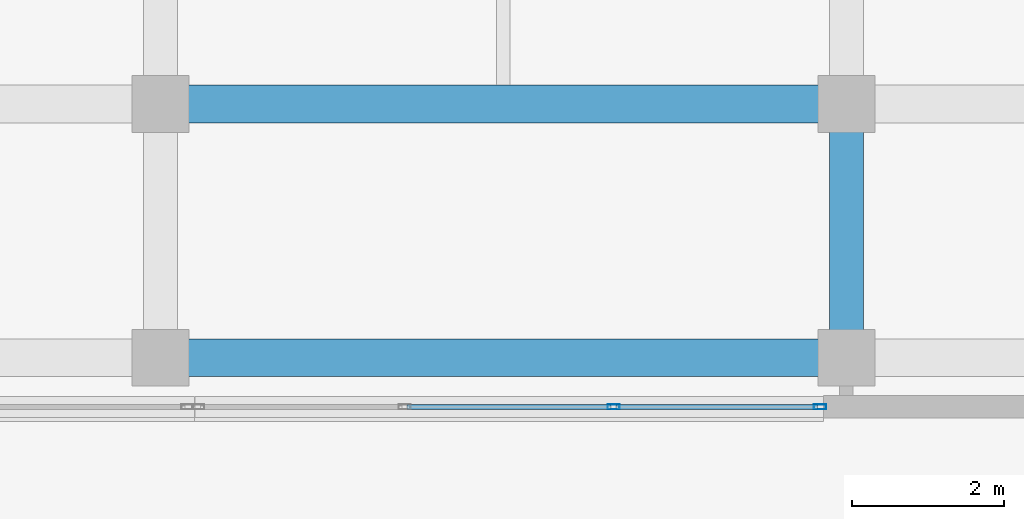
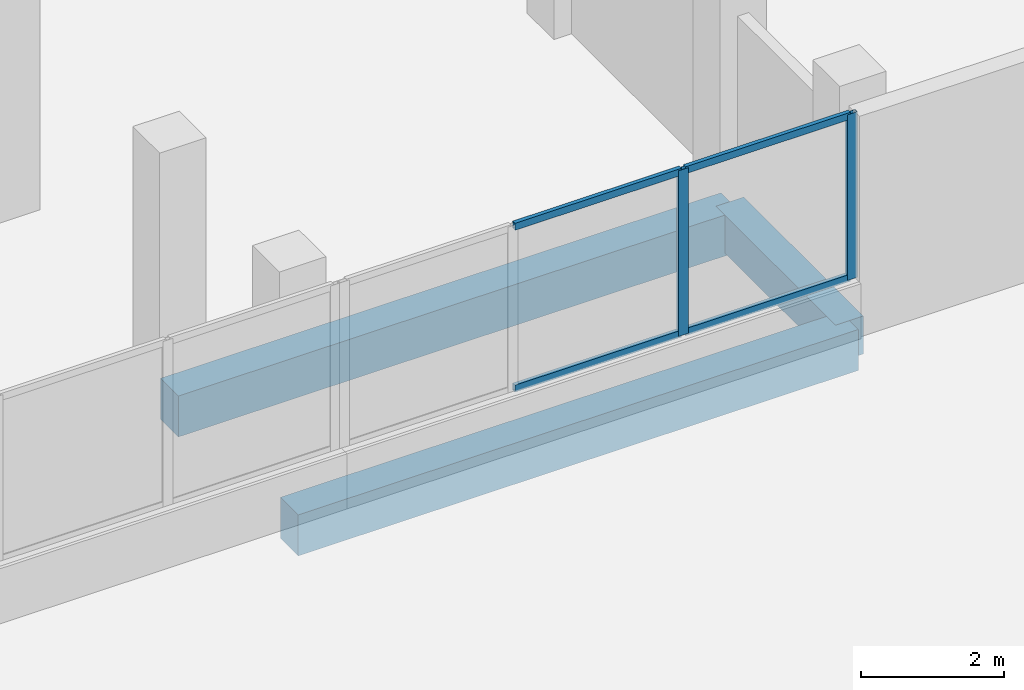
# One storey, part 59 of 101: 6 members, 3 beams, 1 element without a shape of its own.
"""IFC4 building model written with IfcOpenShell, lengths in metres."""

from ifc_helpers import new_model, si_unit, direction, frame, origin, origin_2d, place, context, subcontext, project, spatial, rectangle, hollow_rectangle, extrude, material, material_profile, profile_set, type_object, element, aggregate, save


model = new_model("IFC4")

# Units and contexts
model_context = context("Model", 3, precision=1e-05, world=origin(), true_north=direction((0.0, 1.0)))
body_context = subcontext(model_context, "Body", "Model", "MODEL_VIEW")
ifc_project = project(units=[si_unit("LENGTHUNIT", "METRE"), si_unit("AREAUNIT", "SQUARE_METRE"), si_unit("VOLUMEUNIT", "CUBIC_METRE"), si_unit("PLANEANGLEUNIT", "RADIAN"), si_unit("MASSUNIT", "GRAM", prefix="KILO")], contexts=[model_context])

# Site, building, storey
site_placement = place(None, origin())
site = spatial("IfcSite", under=ifc_project, at=site_placement, CompositionType="ELEMENT")
building_placement = place(site_placement, origin())
building = spatial("IfcBuilding", under=site, at=building_placement, Name="Selatvlak General Hospital", CompositionType="ELEMENT")
storey_placement = place(building_placement, frame((0.0, 0.0, 19.199951171875)))
storey = spatial("IfcBuildingStorey", under=building, at=storey_placement, Name="L04", CompositionType="ELEMENT", Elevation=19.199951171875)

# Beams
ifc_material_1 = material(Name="Concrete C40/50", Category="concrete")
ifc_material_profile_1 = material_profile(ifc_material_1, rectangle(XDim=0.5, YDim=0.699951171875, at=origin_2d()), Name="RC-BM 500x700")
ifc_profile_set_1 = profile_set([ifc_material_profile_1], Name="Concrete C40/50")
beam_type_1 = type_object("IfcBeamType", Name="BM-G03", PredefinedType="BEAM", material=ifc_profile_set_1)
for number, where, z_axis, x_axis, name in (
    (1, (164.949951171875, 64.64990234375, -0.655029296875), (1.0, 0.0, 0.0), (0.0, 1.0, 0.0), "Beam BMR-L04-1507"),
    (2, (164.949951171875, 68.0, -0.655029296875), (1.0, 0.0, 0.0), (0.0, 1.0, 0.0), "Beam BMR-L04-1514"),
):
    element("IfcBeam", number, at=place(storey_placement, frame(where, z_axis=z_axis, x_axis=x_axis)), inside=storey, type_object=beam_type_1, Name=name, PredefinedType="BEAM", context=body_context, shape_type="SweptSolid", body=[
        extrude(rectangle(XDim=0.5, YDim=0.699951171875, at=origin_2d()), origin(), (0.0, 0.0, 1.0), 9.050048828125),
    ])
ifc_material_profile_2 = material_profile(ifc_material_1, rectangle(XDim=0.449951171875, YDim=0.64990234375, at=origin_2d()), Name="RC-BM 450x650")
ifc_profile_set_2 = profile_set([ifc_material_profile_2], Name="Concrete C40/50")
beam_type_2 = type_object("IfcBeamType", Name="BM-G04", PredefinedType="BEAM", material=ifc_profile_set_2)
beam_placement = place(storey_placement, frame((174.0, 64.64990234375, -0.6298828125), z_axis=(0.0, 1.0, 0.0), x_axis=(-1.0, 0.0, 0.0)))
element("IfcBeam", 3, at=beam_placement, inside=storey, type_object=beam_type_2, Name="Beam BMR-L04-1756", PredefinedType="BEAM", context=body_context, shape_type="SweptSolid", body=[
    extrude(rectangle(XDim=0.449951171875, YDim=0.64990234375, at=origin_2d()), origin(), (0.0, 0.0, 1.0), 3.35009765625),
])

# Curtain wall, members
ifc_material_2 = material(Name="Solar-control Low-E double glazing", Category="glass")
curtain_wall_type = type_object("IfcCurtainWallType", Name="CW-CW-01", PredefinedType="USERDEFINED", material=ifc_material_2)
curtain_wall_placement = place(storey_placement, origin())
curtain_wall = element("IfcCurtainWall", 4, at=curtain_wall_placement, inside=storey, type_object=curtain_wall_type, Name="Glazed facade curtain wall CW-L04-0507", ObjectType="UNITISED CURTAIN WALL", PredefinedType="USERDEFINED")
ifc_material_3 = material(Name="Dark anodised aluminium mullion", Category="aluminium")
ifc_material_profile_3 = material_profile(ifc_material_3, hollow_rectangle(XDim=0.06494140625, YDim=0.159912109375, WallThickness=0.00390625, at=origin_2d()), Name="AL-MUL 65x160x4")
ifc_profile_set_3 = profile_set([ifc_material_profile_3], Name="Dark anodised aluminium mullion")
member_type_1 = type_object("IfcMemberType", Name="CWM-01", PredefinedType="MULLION", material=ifc_profile_set_3)
member_1_placement = place(storey_placement, frame((173.652587890625, 64.0009765625, 0.93994140625), z_axis=(0.0, 0.0, 1.0), x_axis=(0.0, -1.0, 0.0)))
member_1 = element("IfcMember", 5, at=member_1_placement, type_object=member_type_1, Name="CW-01 mullion 1", PredefinedType="MULLION", context=body_context, shape_type="SweptSolid", body=[
    extrude(hollow_rectangle(XDim=0.06494140625, YDim=0.159912109375, WallThickness=0.00390625, at=origin_2d()), origin(), (0.0, 0.0, 1.0), 2.830078125),
])
member_2_placement = place(storey_placement, frame((170.92822265625, 64.0009765625, 0.93994140625), z_axis=(0.0, 0.0, 1.0), x_axis=(0.0, -1.0, 0.0)))
member_2 = element("IfcMember", 6, at=member_2_placement, type_object=member_type_1, Name="CW-01 mullion 2", PredefinedType="MULLION", context=body_context, shape_type="SweptSolid", body=[
    extrude(hollow_rectangle(XDim=0.06494140625, YDim=0.159912109375, WallThickness=0.00390625, at=origin_2d()), origin(), (0.0, 0.0, 1.0), 2.830078125),
])
ifc_material_profile_4 = material_profile(ifc_material_3, hollow_rectangle(XDim=0.06494140625, YDim=0.1201171875, WallThickness=0.00390625, at=origin_2d()), Name="AL-TRN 65x120x4")
ifc_profile_set_4 = profile_set([ifc_material_profile_4], Name="Dark anodised aluminium mullion")
member_type_2 = type_object("IfcMemberType", Name="CWT-01", PredefinedType="USERDEFINED", material=ifc_profile_set_4)
member_3_placement = place(storey_placement, frame((173.6201171875, 64.0009765625, 0.97265625), z_axis=(-1.0, 0.0, 0.0), x_axis=(0.0, -1.0, 0.0)))
member_3 = element("IfcMember", 7, at=member_3_placement, type_object=member_type_2, Name="CW-01 transom 1.1", ObjectType="TRANSOM", PredefinedType="USERDEFINED", context=body_context, shape_type="SweptSolid", body=[
    extrude(hollow_rectangle(XDim=0.06494140625, YDim=0.1201171875, WallThickness=0.00390625, at=origin_2d()), origin(), (0.0, 0.0, 1.0), 2.6591796875),
])
member_4_placement = place(storey_placement, frame((173.6201171875, 64.0009765625, 3.737548828125), z_axis=(-1.0, 0.0, 0.0), x_axis=(0.0, -1.0, 0.0)))
member_4 = element("IfcMember", 8, at=member_4_placement, type_object=member_type_2, Name="CW-01 transom 1.2", ObjectType="TRANSOM", PredefinedType="USERDEFINED", context=body_context, shape_type="SweptSolid", body=[
    extrude(hollow_rectangle(XDim=0.06494140625, YDim=0.1201171875, WallThickness=0.00390625, at=origin_2d()), origin(), (0.0, 0.0, 1.0), 2.6591796875),
])
member_5_placement = place(storey_placement, frame((170.895751953125, 64.0009765625, 0.97265625), z_axis=(-1.0, 0.0, 0.0), x_axis=(0.0, -1.0, 0.0)))
member_5 = element("IfcMember", 9, at=member_5_placement, type_object=member_type_2, Name="CW-01 transom 2.1", ObjectType="TRANSOM", PredefinedType="USERDEFINED", context=body_context, shape_type="SweptSolid", body=[
    extrude(hollow_rectangle(XDim=0.06494140625, YDim=0.1201171875, WallThickness=0.00390625, at=origin_2d()), origin(), (0.0, 0.0, 1.0), 2.691650390625),
])
member_6_placement = place(storey_placement, frame((170.895751953125, 64.0009765625, 3.737548828125), z_axis=(-1.0, 0.0, 0.0), x_axis=(0.0, -1.0, 0.0)))
member_6 = element("IfcMember", 10, at=member_6_placement, type_object=member_type_2, Name="CW-01 transom 2.2", ObjectType="TRANSOM", PredefinedType="USERDEFINED", context=body_context, shape_type="SweptSolid", body=[
    extrude(hollow_rectangle(XDim=0.06494140625, YDim=0.1201171875, WallThickness=0.00390625, at=origin_2d()), origin(), (0.0, 0.0, 1.0), 2.691650390625),
])
aggregate(curtain_wall, [member_1, member_2, member_3, member_4, member_5, member_6])

save(model, "model.ifc")
